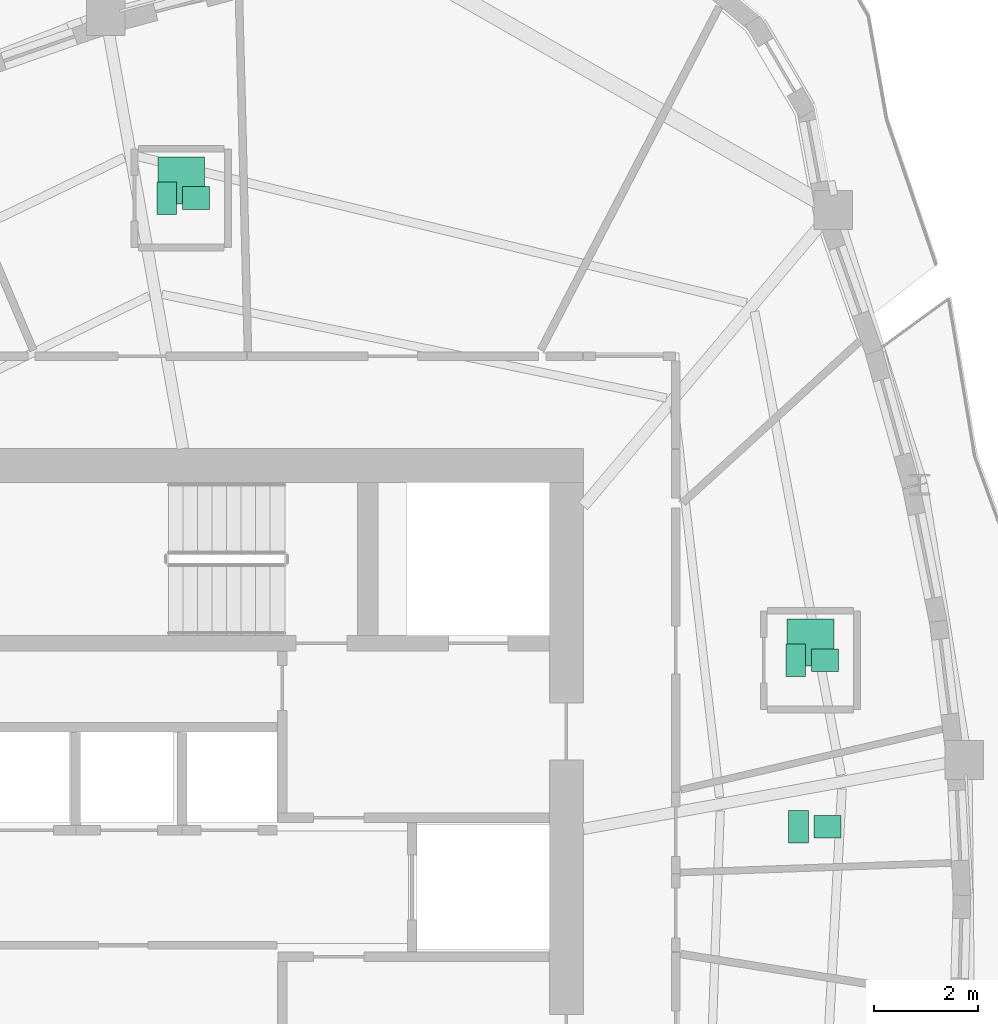
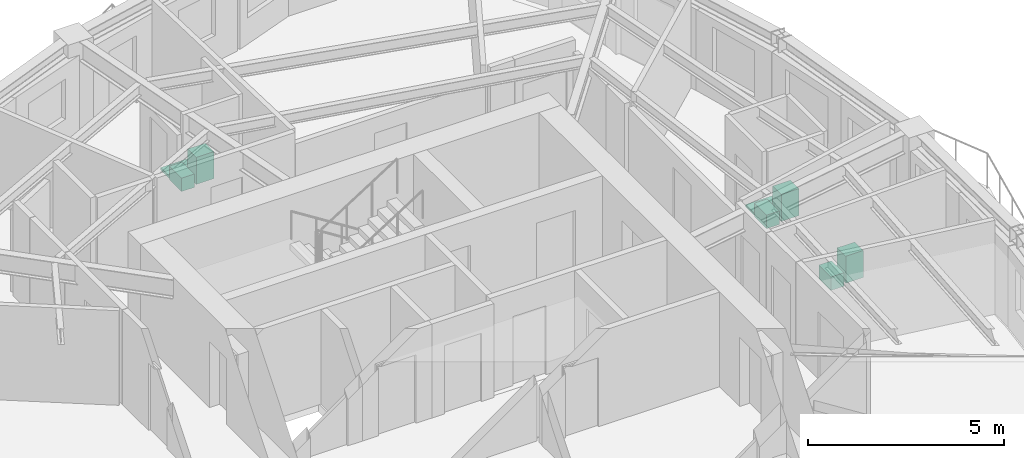
# One storey, part 13 of 13: 8 sanitary terminals.
"""IFC4 building model written with IfcOpenShell, lengths in metres."""

from ifc_helpers import new_model, si_unit, direction, frame, origin, origin_2d, place, context, subcontext, project, spatial, rectangle, extrude, source, transform, mapped, material, type_object, element, save


model = new_model("IFC4")

# Units and contexts
model_context = context("Model", 3, precision=1e-05, world=origin(), true_north=direction((0.0, 1.0)))
body_context = subcontext(model_context, "Body", "Model", "MODEL_VIEW")
ifc_project = project(units=[si_unit("LENGTHUNIT", "METRE"), si_unit("AREAUNIT", "SQUARE_METRE"), si_unit("VOLUMEUNIT", "CUBIC_METRE"), si_unit("PLANEANGLEUNIT", "RADIAN"), si_unit("MASSUNIT", "GRAM", prefix="KILO")], contexts=[model_context])

# Site, building, storey
site_placement = place(None, origin())
site = spatial("IfcSite", under=ifc_project, at=site_placement, CompositionType="ELEMENT")
building_placement = place(site_placement, origin())
building = spatial("IfcBuilding", under=site, at=building_placement, Name="Qafzar Sky-Pleat Residences", CompositionType="ELEMENT")
storey_placement = place(building_placement, frame((0.0, 0.0, 133.0)))
storey = spatial("IfcBuildingStorey", under=building, at=storey_placement, Name="L39", CompositionType="ELEMENT", Elevation=133.0)

# Sanitary terminals
ifc_material_1 = material(Name="Vitreous china sanitaryware")
sanitary_terminal_type_1 = type_object("IfcSanitaryTerminalType", Name="SAN-WC-PAN", PredefinedType="TOILETPAN", material=ifc_material_1)
shared_shape_1 = source(origin(), body_context, "Body", "SweptSolid", [
    extrude(rectangle(XDim=0.3798828125, YDim=0.6201171875, at=origin_2d()), origin(), (0.0, 0.0, 1.0), 0.419921875),
])
for number, where, z_axis, x_axis, name in (
    (1, (40.694580078125, 27.16650390625, 0.0), (0.0, 0.0, 1.0), (1.0, 0.0, 0.0), "L39 Accessible Shared Washroom WC Pan"),
    (2, (40.64501953125, 30.375, 0.0), (0.0, 0.0, 1.0), (1.0, 0.0, 0.0), "L39 En-suite Bathroom 1 WC Pan"),
    (3, (28.52587890625, 39.27490234375, 0.0), (0.0, 0.0, 1.0), (1.0, 0.0, 0.0), "L39 En-suite Bathroom 2 WC Pan"),
):
    element("IfcSanitaryTerminal", number, at=place(storey_placement, frame(where, z_axis=z_axis, x_axis=x_axis)), inside=storey, type_object=sanitary_terminal_type_1, Name=name, PredefinedType="TOILETPAN", context=body_context, shape_type="MappedRepresentation", body=[
        mapped(shared_shape_1, transform((0.0, 0.0, 0.0), x_axis=(1.0, 0.0, 0.0), y_axis=(0.0, 1.0, 0.0), z_axis=(0.0, 0.0, 1.0), scale=1.0)),
    ])
sanitary_terminal_type_2 = type_object("IfcSanitaryTerminalType", Name="SAN-BASIN", PredefinedType="WASHHANDBASIN", material=ifc_material_1)
shared_shape_2 = source(origin(), body_context, "Body", "SweptSolid", [
    extrude(rectangle(XDim=0.52001953125, YDim=0.43994140625, at=origin_2d()), origin(), (0.0, 0.0, 1.0), 0.840087890625),
])
for number, where, z_axis, x_axis, name in (
    (4, (41.254638671875, 27.16650390625, 0.0), (0.0, 0.0, 1.0), (1.0, 0.0, 0.0), "L39 Accessible Shared Washroom Pedestal Washbasin"),
    (5, (41.205078125, 30.375, 0.0), (0.0, 0.0, 1.0), (1.0, 0.0, 0.0), "L39 En-suite Bathroom 1 Pedestal Washbasin"),
    (6, (29.0859375, 39.27490234375, 0.0), (0.0, 0.0, 1.0), (1.0, 0.0, 0.0), "L39 En-suite Bathroom 2 Pedestal Washbasin"),
):
    element("IfcSanitaryTerminal", number, at=place(storey_placement, frame(where, z_axis=z_axis, x_axis=x_axis)), inside=storey, type_object=sanitary_terminal_type_2, Name=name, PredefinedType="WASHHANDBASIN", context=body_context, shape_type="MappedRepresentation", body=[
        mapped(shared_shape_2, transform((0.0, 0.0, 0.0), x_axis=(1.0, 0.0, 0.0), y_axis=(0.0, 1.0, 0.0), z_axis=(0.0, 0.0, 1.0), scale=1.0)),
    ])
ifc_material_2 = material(Name="Vitreous china and acrylic tray")
sanitary_terminal_type_3 = type_object("IfcSanitaryTerminalType", Name="SAN-SHOWER", PredefinedType="SHOWER", material=ifc_material_2)
shared_shape_3 = source(origin(), body_context, "Body", "SweptSolid", [
    extrude(rectangle(XDim=0.89990234375, YDim=0.89990234375, at=origin_2d()), origin(), (0.0, 0.0, 1.0), 0.080078125),
])
for number, where, z_axis, x_axis, name in (
    (7, (40.925048828125, 30.715087890625, 0.0), (0.0, 0.0, 1.0), (1.0, 0.0, 0.0), "L39 En-suite Bathroom 1 Walk-In Shower"),
    (8, (28.805908203125, 39.614990234375, 0.0), (0.0, 0.0, 1.0), (1.0, 0.0, 0.0), "L39 En-suite Bathroom 2 Walk-In Shower"),
):
    element("IfcSanitaryTerminal", number, at=place(storey_placement, frame(where, z_axis=z_axis, x_axis=x_axis)), inside=storey, type_object=sanitary_terminal_type_3, Name=name, PredefinedType="SHOWER", context=body_context, shape_type="MappedRepresentation", body=[
        mapped(shared_shape_3, transform((0.0, 0.0, 0.0), x_axis=(1.0, 0.0, 0.0), y_axis=(0.0, 1.0, 0.0), z_axis=(0.0, 0.0, 1.0), scale=1.0)),
    ])

save(model, "model.ifc")
